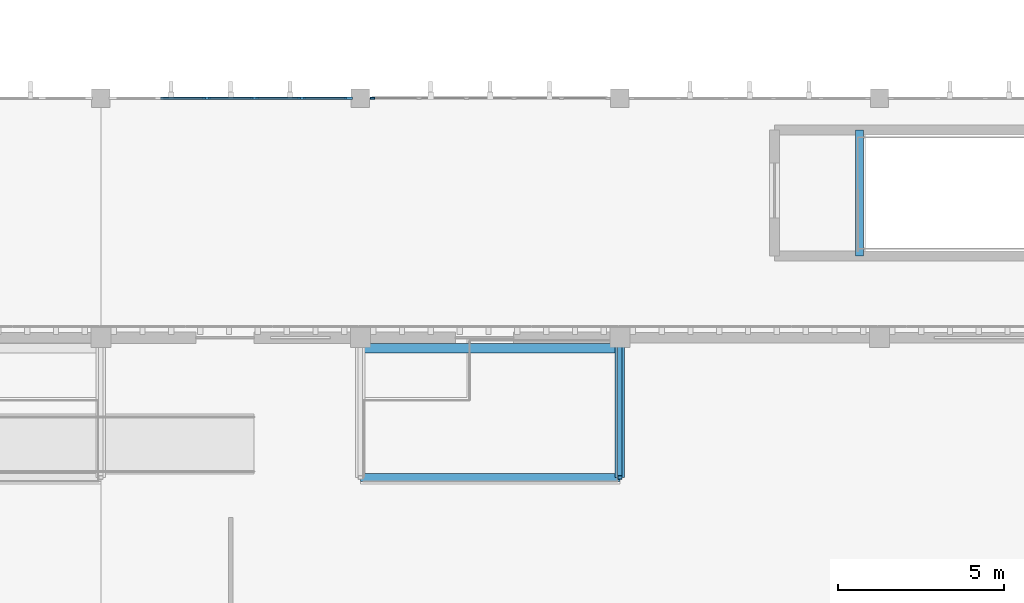
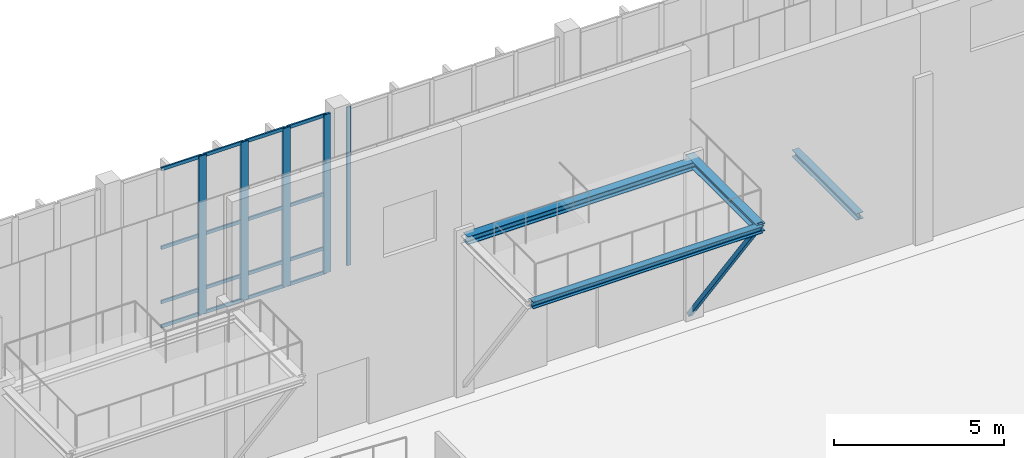
# One storey, part 32 of 105: 22 members, 4 beams, 2 elements without a shape of their own.
"""IFC4 building model written with IfcOpenShell, lengths in metres."""

from ifc_helpers import new_model, si_unit, direction, frame, origin, origin_2d, place, context, subcontext, project, spatial, rectangle, hollow_rectangle, i_section, extrude, material, material_profile, profile_set, type_object, element, aggregate, save


model = new_model("IFC4")

# Units and contexts
model_context = context("Model", 3, precision=1e-05, world=origin(), true_north=direction((0.0, 1.0)))
body_context = subcontext(model_context, "Body", "Model", "MODEL_VIEW")
ifc_project = project(units=[si_unit("LENGTHUNIT", "METRE"), si_unit("AREAUNIT", "SQUARE_METRE"), si_unit("VOLUMEUNIT", "CUBIC_METRE"), si_unit("PLANEANGLEUNIT", "RADIAN"), si_unit("MASSUNIT", "GRAM", prefix="KILO")], contexts=[model_context])

# Site, building, storey
site_placement = place(None, origin())
site = spatial("IfcSite", under=ifc_project, at=site_placement, CompositionType="ELEMENT")
building_placement = place(site_placement, origin())
building = spatial("IfcBuilding", under=site, at=building_placement, Name="Tizgana Railside Sports Hall", CompositionType="ELEMENT")
storey_placement = place(building_placement, frame((0.0, 0.0, 6.0)))
storey = spatial("IfcBuildingStorey", under=building, at=storey_placement, Name="L01", CompositionType="ELEMENT", Elevation=6.0)

# Curtain wall, member
ifc_material_1 = material(Name="Anodised aluminium and glass", Category="aluminium")
curtain_wall_type_1 = type_object("IfcCurtainWallType", Name="Unitised Curtain Wall Clinic 1200", PredefinedType="NOTDEFINED", material=ifc_material_1)
curtain_wall_1_placement = place(storey_placement, origin())
curtain_wall_1 = element("IfcCurtainWall", 1, at=curtain_wall_1_placement, inside=storey, type_object=curtain_wall_type_1, Name="L01 Curtain Wall CW-0012", PredefinedType="NOTDEFINED")
ifc_material_2 = material(Name="Anodised aluminium", Category="aluminium")
ifc_material_profile_1 = material_profile(ifc_material_2, rectangle(XDim=0.06005859375, YDim=0.139892578125, at=origin_2d()), Name="Mullion 60x140")
ifc_profile_set_1 = profile_set([ifc_material_profile_1], Name="Anodised aluminium")
member_type_1 = type_object("IfcMemberType", Name="Mullion 60x140", PredefinedType="MULLION", material=ifc_profile_set_1)
member_1_placement = place(storey_placement, frame((31.56005859375, 80.39990234375, 0.0), z_axis=(0.0, 0.0, 1.0), x_axis=(0.0, 1.0, 0.0)))
member_1 = element("IfcMember", 2, at=member_1_placement, type_object=member_type_1, Name="CW-05 mullion 1", PredefinedType="MULLION", context=body_context, shape_type="SweptSolid", body=[
    extrude(rectangle(XDim=0.06005859375, YDim=0.139892578125, at=origin_2d()), origin(), (0.0, 0.0, 1.0), 5.699951171875),
])
aggregate(curtain_wall_1, [member_1])

# Curtain wall, members
curtain_wall_type_2 = type_object("IfcCurtainWallType", Name="Unitised Curtain Wall Climbing 1600", PredefinedType="NOTDEFINED", material=ifc_material_1)
curtain_wall_2_placement = place(storey_placement, origin())
curtain_wall_2 = element("IfcCurtainWall", 3, at=curtain_wall_2_placement, inside=storey, type_object=curtain_wall_type_2, Name="L01 Curtain Wall CW-0011", PredefinedType="NOTDEFINED")
ifc_material_profile_2 = material_profile(ifc_material_2, rectangle(XDim=0.074951171875, YDim=0.25, at=origin_2d()), Name="Mullion 75x250")
ifc_profile_set_2 = profile_set([ifc_material_profile_2], Name="Anodised aluminium")
member_type_2 = type_object("IfcMemberType", Name="Mullion 75x250", PredefinedType="MULLION", material=ifc_profile_set_2)
member_2_placement = place(storey_placement, frame((26.5859375, 80.39990234375, 0.0), z_axis=(0.0, 0.0, 1.0), x_axis=(0.0, 1.0, 0.0)))
member_2 = element("IfcMember", 4, at=member_2_placement, type_object=member_type_2, Name="CW-04 mullion 3", PredefinedType="MULLION", context=body_context, shape_type="SweptSolid", body=[
    extrude(rectangle(XDim=0.074951171875, YDim=0.25, at=origin_2d()), origin(), (0.0, 0.0, 1.0), 5.699951171875),
])
member_3_placement = place(storey_placement, frame((28.013916015625, 80.39990234375, 0.0), z_axis=(0.0, 0.0, 1.0), x_axis=(0.0, 1.0, 0.0)))
member_3 = element("IfcMember", 5, at=member_3_placement, type_object=member_type_2, Name="CW-04 mullion 4", PredefinedType="MULLION", context=body_context, shape_type="SweptSolid", body=[
    extrude(rectangle(XDim=0.074951171875, YDim=0.25, at=origin_2d()), origin(), (0.0, 0.0, 1.0), 5.699951171875),
])
member_4_placement = place(storey_placement, frame((29.44189453125, 80.39990234375, 0.0), z_axis=(0.0, 0.0, 1.0), x_axis=(0.0, 1.0, 0.0)))
member_4 = element("IfcMember", 6, at=member_4_placement, type_object=member_type_2, Name="CW-04 mullion 5", PredefinedType="MULLION", context=body_context, shape_type="SweptSolid", body=[
    extrude(rectangle(XDim=0.074951171875, YDim=0.25, at=origin_2d()), origin(), (0.0, 0.0, 1.0), 5.699951171875),
])
member_5_placement = place(storey_placement, frame((30.83251953125, 80.39990234375, 0.0), z_axis=(0.0, 0.0, 1.0), x_axis=(0.0, 1.0, 0.0)))
member_5 = element("IfcMember", 7, at=member_5_placement, type_object=member_type_2, Name="CW-04 mullion 6", PredefinedType="MULLION", context=body_context, shape_type="SweptSolid", body=[
    extrude(rectangle(XDim=0.074951171875, YDim=0.25, at=origin_2d()), origin(), (0.0, 0.0, 1.0), 5.699951171875),
])

# Beams
ifc_material_3 = material(Name="Steel S355J2", Category="steel")
ifc_material_profile_3 = material_profile(ifc_material_3, i_section(OverallWidth=0.239990234375, OverallDepth=0.239990234375, WebThickness=0.010009765625, FlangeThickness=0.01708984375, FilletRadius=0.02099609375, at=origin_2d()), Name="HEB 240")
ifc_profile_set_3 = profile_set([ifc_material_profile_3], Name="Steel S355J2")
beam_type_1 = type_object("IfcBeamType", Name="Steel Beam HEB 240", PredefinedType="BEAM", material=ifc_profile_set_3)
beam_1_placement = place(storey_placement, frame((31.199951171875, 69.0, 5.64990234375), z_axis=(1.0, 0.0, 0.0), x_axis=(0.0, 1.0, 0.0)))
element("IfcBeam", 8, at=beam_1_placement, inside=storey, type_object=beam_type_1, Name="L01 BEM-1258", PredefinedType="BEAM", context=body_context, shape_type="SweptSolid", body=[
    extrude(i_section(OverallWidth=0.239990234375, OverallDepth=0.239990234375, WebThickness=0.010009765625, FlangeThickness=0.01708984375, FilletRadius=0.02099609375, at=origin_2d()), origin(), (0.0, 0.0, 1.0), 7.800048828125),
])
beam_2_placement = place(storey_placement, frame((46.199951171875, 75.64990234375, -0.486083984375), z_axis=(0.0, 1.0, 0.0), x_axis=(-1.0, 0.0, 0.0)))
element("IfcBeam", 9, at=beam_2_placement, inside=storey, type_object=beam_type_1, Name="L01 C6 Landing Header", PredefinedType="BEAM", context=body_context, shape_type="SweptSolid", body=[
    extrude(i_section(OverallWidth=0.239990234375, OverallDepth=0.239990234375, WebThickness=0.010009765625, FlangeThickness=0.01708984375, FilletRadius=0.02099609375, at=origin_2d()), origin(), (0.0, 0.0, 1.0), 3.800048828125),
])
ifc_material_profile_4 = material_profile(ifc_material_3, i_section(OverallWidth=0.280029296875, OverallDepth=0.280029296875, WebThickness=0.010498046875, FlangeThickness=0.01806640625, FilletRadius=0.02392578125, at=origin_2d()), Name="HEB 280")
ifc_profile_set_4 = profile_set([ifc_material_profile_4], Name="Steel S355J2")
beam_type_2 = type_object("IfcBeamType", Name="Steel Beam HEB 280", PredefinedType="BEAM", material=ifc_profile_set_4)
beam_3_placement = place(storey_placement, frame((31.199951171875, 72.8798828125, 5.6298828125), z_axis=(1.0, 0.0, 0.0), x_axis=(0.0, 1.0, 0.0)))
element("IfcBeam", 10, at=beam_3_placement, inside=storey, type_object=beam_type_2, Name="L01 BEM-1257", PredefinedType="BEAM", context=body_context, shape_type="SweptSolid", body=[
    extrude(i_section(OverallWidth=0.280029296875, OverallDepth=0.280029296875, WebThickness=0.010498046875, FlangeThickness=0.01806640625, FilletRadius=0.02392578125, at=origin_2d()), origin(), (0.0, 0.0, 1.0), 7.800048828125),
])
beam_4_placement = place(storey_placement, frame((39.0, 73.199951171875, 5.6298828125), z_axis=(0.0, -1.0, 0.0), x_axis=(1.0, 0.0, 0.0)))
element("IfcBeam", 11, at=beam_4_placement, inside=storey, type_object=beam_type_2, Name="L01 BEM-1260", PredefinedType="BEAM", context=body_context, shape_type="SweptSolid", body=[
    extrude(i_section(OverallWidth=0.280029296875, OverallDepth=0.280029296875, WebThickness=0.010498046875, FlangeThickness=0.01806640625, FilletRadius=0.02392578125, at=origin_2d()), origin(), (0.0, 0.0, 1.0), 4.199951171875),
])

# Member
ifc_material_profile_5 = material_profile(ifc_material_3, hollow_rectangle(XDim=0.139892578125, YDim=0.139892578125, WallThickness=0.008056640625, at=origin_2d()), Name="SHS 140x140x8")
ifc_profile_set_5 = profile_set([ifc_material_profile_5], Name="Steel S355J2")
member_type_3 = type_object("IfcMemberType", Name="Steel Brace SHS 140x140x8", PredefinedType="BRACE", material=ifc_profile_set_5)
member_6_placement = place(storey_placement, frame((39.0, 73.199951171875, 0.0), z_axis=(0.0, -0.588499132235, 0.808497848704), x_axis=(1.0, 0.0, 0.0)))
element("IfcMember", 12, at=member_6_placement, inside=storey, type_object=member_type_3, Name="L01 Catwalk Raker", PredefinedType="BRACE", context=body_context, shape_type="SweptSolid", body=[
    extrude(hollow_rectangle(XDim=0.139892578125, YDim=0.139892578125, WallThickness=0.008056640625, at=origin_2d()), origin(), (0.0, 0.0, 1.0), 7.13671875),
])

ifc_material_profile_6 = material_profile(ifc_material_2, rectangle(XDim=0.054931640625, YDim=0.1201171875, at=origin_2d()), Name="Transom 55x120")
ifc_profile_set_6 = profile_set([ifc_material_profile_6], Name="Anodised aluminium")
member_type_4 = type_object("IfcMemberType", Name="Transom 55x120", PredefinedType="USERDEFINED", material=ifc_profile_set_6)
member_7_placement = place(storey_placement, frame((25.195556640625, 80.39990234375, 0.027587890625), z_axis=(1.0, 0.0, 0.0), x_axis=(0.0, 1.0, 0.0)))
member_7 = element("IfcMember", 13, at=member_7_placement, type_object=member_type_4, Name="CW-04 transom 2.1", ObjectType="TRANSOM", PredefinedType="USERDEFINED", context=body_context, shape_type="SweptSolid", body=[
    extrude(rectangle(XDim=0.054931640625, YDim=0.1201171875, at=origin_2d()), origin(), (0.0, 0.0, 1.0), 1.35302734375),
])

member_8_placement = place(storey_placement, frame((25.195556640625, 80.39990234375, 0.89990234375), z_axis=(1.0, 0.0, 0.0), x_axis=(0.0, 1.0, 0.0)))
member_8 = element("IfcMember", 14, at=member_8_placement, type_object=member_type_4, Name="CW-04 transom 2.2", ObjectType="TRANSOM", PredefinedType="USERDEFINED", context=body_context, shape_type="SweptSolid", body=[
    extrude(rectangle(XDim=0.054931640625, YDim=0.1201171875, at=origin_2d()), origin(), (0.0, 0.0, 1.0), 1.35302734375),
])

member_9_placement = place(storey_placement, frame((25.195556640625, 80.39990234375, 2.85009765625), z_axis=(1.0, 0.0, 0.0), x_axis=(0.0, 1.0, 0.0)))
member_9 = element("IfcMember", 15, at=member_9_placement, type_object=member_type_4, Name="CW-04 transom 2.3", ObjectType="TRANSOM", PredefinedType="USERDEFINED", context=body_context, shape_type="SweptSolid", body=[
    extrude(rectangle(XDim=0.054931640625, YDim=0.1201171875, at=origin_2d()), origin(), (0.0, 0.0, 1.0), 1.35302734375),
])

member_10_placement = place(storey_placement, frame((25.195556640625, 80.39990234375, 5.672607421875), z_axis=(1.0, 0.0, 0.0), x_axis=(0.0, 1.0, 0.0)))
member_10 = element("IfcMember", 16, at=member_10_placement, type_object=member_type_4, Name="CW-04 transom 2.4", ObjectType="TRANSOM", PredefinedType="USERDEFINED", context=body_context, shape_type="SweptSolid", body=[
    extrude(rectangle(XDim=0.054931640625, YDim=0.1201171875, at=origin_2d()), origin(), (0.0, 0.0, 1.0), 1.35302734375),
])

member_11_placement = place(storey_placement, frame((26.62353515625, 80.39990234375, 0.027587890625), z_axis=(1.0, 0.0, 0.0), x_axis=(0.0, 1.0, 0.0)))
member_11 = element("IfcMember", 17, at=member_11_placement, type_object=member_type_4, Name="CW-04 transom 3.1", ObjectType="TRANSOM", PredefinedType="USERDEFINED", context=body_context, shape_type="SweptSolid", body=[
    extrude(rectangle(XDim=0.054931640625, YDim=0.1201171875, at=origin_2d()), origin(), (0.0, 0.0, 1.0), 1.35302734375),
])

member_12_placement = place(storey_placement, frame((26.62353515625, 80.39990234375, 0.89990234375), z_axis=(1.0, 0.0, 0.0), x_axis=(0.0, 1.0, 0.0)))
member_12 = element("IfcMember", 18, at=member_12_placement, type_object=member_type_4, Name="CW-04 transom 3.2", ObjectType="TRANSOM", PredefinedType="USERDEFINED", context=body_context, shape_type="SweptSolid", body=[
    extrude(rectangle(XDim=0.054931640625, YDim=0.1201171875, at=origin_2d()), origin(), (0.0, 0.0, 1.0), 1.35302734375),
])

member_13_placement = place(storey_placement, frame((26.62353515625, 80.39990234375, 2.85009765625), z_axis=(1.0, 0.0, 0.0), x_axis=(0.0, 1.0, 0.0)))
member_13 = element("IfcMember", 19, at=member_13_placement, type_object=member_type_4, Name="CW-04 transom 3.3", ObjectType="TRANSOM", PredefinedType="USERDEFINED", context=body_context, shape_type="SweptSolid", body=[
    extrude(rectangle(XDim=0.054931640625, YDim=0.1201171875, at=origin_2d()), origin(), (0.0, 0.0, 1.0), 1.35302734375),
])

member_14_placement = place(storey_placement, frame((26.62353515625, 80.39990234375, 5.672607421875), z_axis=(1.0, 0.0, 0.0), x_axis=(0.0, 1.0, 0.0)))
member_14 = element("IfcMember", 20, at=member_14_placement, type_object=member_type_4, Name="CW-04 transom 3.4", ObjectType="TRANSOM", PredefinedType="USERDEFINED", context=body_context, shape_type="SweptSolid", body=[
    extrude(rectangle(XDim=0.054931640625, YDim=0.1201171875, at=origin_2d()), origin(), (0.0, 0.0, 1.0), 1.35302734375),
])

member_15_placement = place(storey_placement, frame((28.051513671875, 80.39990234375, 0.027587890625), z_axis=(1.0, 0.0, 0.0), x_axis=(0.0, 1.0, 0.0)))
member_15 = element("IfcMember", 21, at=member_15_placement, type_object=member_type_4, Name="CW-04 transom 4.1", ObjectType="TRANSOM", PredefinedType="USERDEFINED", context=body_context, shape_type="SweptSolid", body=[
    extrude(rectangle(XDim=0.054931640625, YDim=0.1201171875, at=origin_2d()), origin(), (0.0, 0.0, 1.0), 1.35302734375),
])

member_16_placement = place(storey_placement, frame((28.051513671875, 80.39990234375, 0.89990234375), z_axis=(1.0, 0.0, 0.0), x_axis=(0.0, 1.0, 0.0)))
member_16 = element("IfcMember", 22, at=member_16_placement, type_object=member_type_4, Name="CW-04 transom 4.2", ObjectType="TRANSOM", PredefinedType="USERDEFINED", context=body_context, shape_type="SweptSolid", body=[
    extrude(rectangle(XDim=0.054931640625, YDim=0.1201171875, at=origin_2d()), origin(), (0.0, 0.0, 1.0), 1.35302734375),
])

member_17_placement = place(storey_placement, frame((28.051513671875, 80.39990234375, 2.85009765625), z_axis=(1.0, 0.0, 0.0), x_axis=(0.0, 1.0, 0.0)))
member_17 = element("IfcMember", 23, at=member_17_placement, type_object=member_type_4, Name="CW-04 transom 4.3", ObjectType="TRANSOM", PredefinedType="USERDEFINED", context=body_context, shape_type="SweptSolid", body=[
    extrude(rectangle(XDim=0.054931640625, YDim=0.1201171875, at=origin_2d()), origin(), (0.0, 0.0, 1.0), 1.35302734375),
])

member_18_placement = place(storey_placement, frame((28.051513671875, 80.39990234375, 5.672607421875), z_axis=(1.0, 0.0, 0.0), x_axis=(0.0, 1.0, 0.0)))
member_18 = element("IfcMember", 24, at=member_18_placement, type_object=member_type_4, Name="CW-04 transom 4.4", ObjectType="TRANSOM", PredefinedType="USERDEFINED", context=body_context, shape_type="SweptSolid", body=[
    extrude(rectangle(XDim=0.054931640625, YDim=0.1201171875, at=origin_2d()), origin(), (0.0, 0.0, 1.0), 1.35302734375),
])

member_19_placement = place(storey_placement, frame((29.4794921875, 80.39990234375, 0.027587890625), z_axis=(1.0, 0.0, 0.0), x_axis=(0.0, 1.0, 0.0)))
member_19 = element("IfcMember", 25, at=member_19_placement, type_object=member_type_4, Name="CW-04 transom 5.1", ObjectType="TRANSOM", PredefinedType="USERDEFINED", context=body_context, shape_type="SweptSolid", body=[
    extrude(rectangle(XDim=0.054931640625, YDim=0.1201171875, at=origin_2d()), origin(), (0.0, 0.0, 1.0), 1.3154296875),
])

member_20_placement = place(storey_placement, frame((29.4794921875, 80.39990234375, 0.89990234375), z_axis=(1.0, 0.0, 0.0), x_axis=(0.0, 1.0, 0.0)))
member_20 = element("IfcMember", 26, at=member_20_placement, type_object=member_type_4, Name="CW-04 transom 5.2", ObjectType="TRANSOM", PredefinedType="USERDEFINED", context=body_context, shape_type="SweptSolid", body=[
    extrude(rectangle(XDim=0.054931640625, YDim=0.1201171875, at=origin_2d()), origin(), (0.0, 0.0, 1.0), 1.3154296875),
])

member_21_placement = place(storey_placement, frame((29.4794921875, 80.39990234375, 2.85009765625), z_axis=(1.0, 0.0, 0.0), x_axis=(0.0, 1.0, 0.0)))
member_21 = element("IfcMember", 27, at=member_21_placement, type_object=member_type_4, Name="CW-04 transom 5.3", ObjectType="TRANSOM", PredefinedType="USERDEFINED", context=body_context, shape_type="SweptSolid", body=[
    extrude(rectangle(XDim=0.054931640625, YDim=0.1201171875, at=origin_2d()), origin(), (0.0, 0.0, 1.0), 1.3154296875),
])

member_22_placement = place(storey_placement, frame((29.4794921875, 80.39990234375, 5.672607421875), z_axis=(1.0, 0.0, 0.0), x_axis=(0.0, 1.0, 0.0)))
member_22 = element("IfcMember", 28, at=member_22_placement, type_object=member_type_4, Name="CW-04 transom 5.4", ObjectType="TRANSOM", PredefinedType="USERDEFINED", context=body_context, shape_type="SweptSolid", body=[
    extrude(rectangle(XDim=0.054931640625, YDim=0.1201171875, at=origin_2d()), origin(), (0.0, 0.0, 1.0), 1.3154296875),
])

aggregate(curtain_wall_2, [member_2, member_3, member_4, member_5, member_7, member_8, member_9, member_10, member_11, member_12, member_13, member_14, member_15, member_16, member_17, member_18, member_19, member_20, member_21, member_22])

save(model, "model.ifc")
